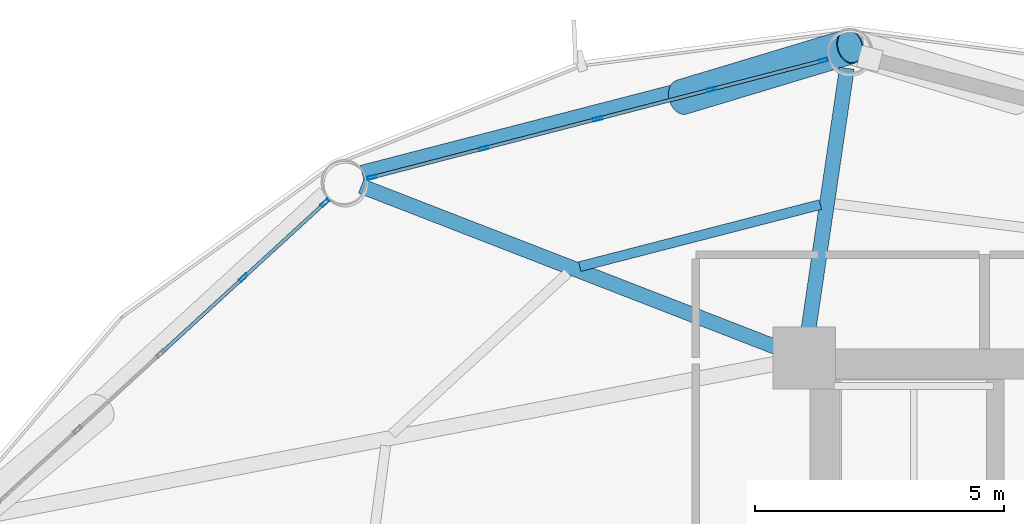
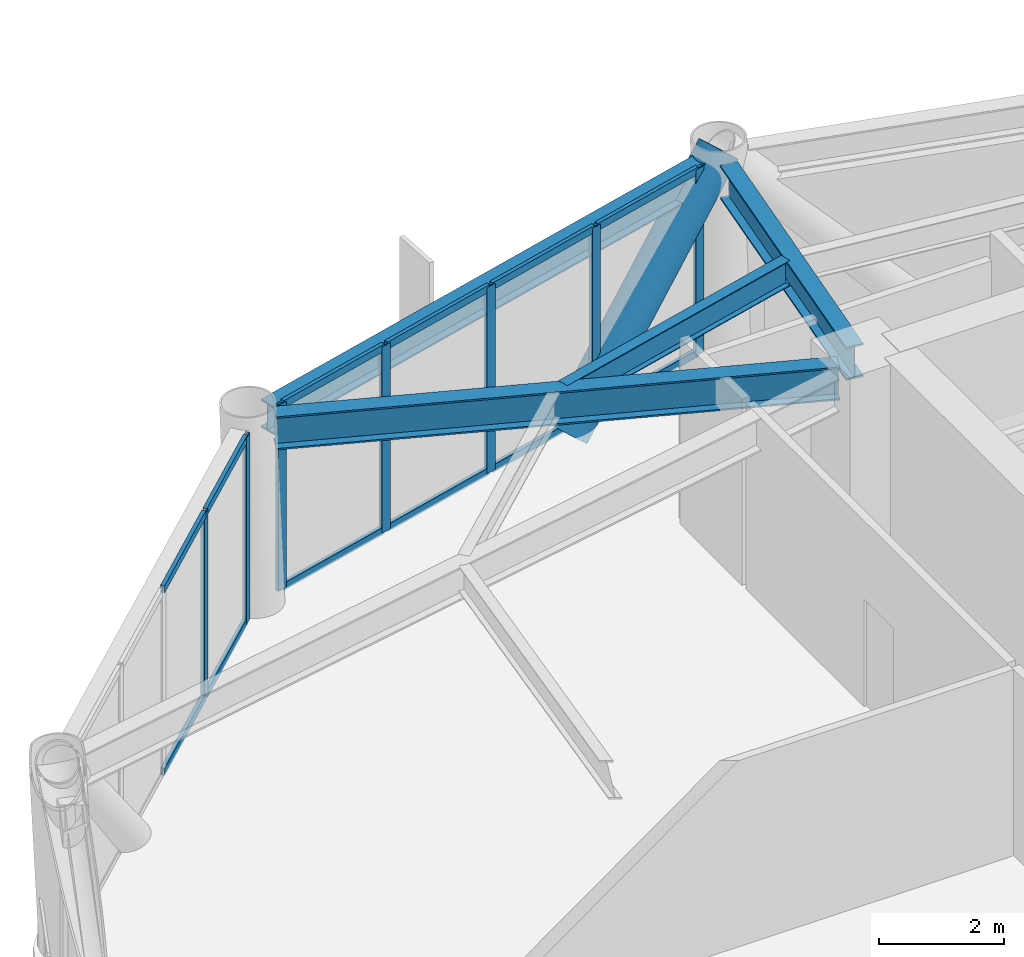
# One storey, part 18 of 25: 20 members, 4 beams, 2 elements without a shape of their own.
"""IFC4 building model written with IfcOpenShell, lengths in metres."""

from ifc_helpers import new_model, si_unit, direction, frame, origin, origin_2d, place, context, subcontext, project, spatial, hollow_rectangle, hollow_circle, i_section, extrude, material, layer, layer_set, material_profile, profile_set, type_object, element, aggregate, save


model = new_model("IFC4")

# Units and contexts
model_context = context("Model", 3, precision=1e-05, world=origin(), true_north=direction((0.0, 1.0)))
body_context = subcontext(model_context, "Body", "Model", "MODEL_VIEW")
ifc_project = project(units=[si_unit("LENGTHUNIT", "METRE"), si_unit("AREAUNIT", "SQUARE_METRE"), si_unit("VOLUMEUNIT", "CUBIC_METRE"), si_unit("PLANEANGLEUNIT", "RADIAN"), si_unit("MASSUNIT", "GRAM", prefix="KILO")], contexts=[model_context])

# Site, building, storey
site_placement = place(None, origin())
site = spatial("IfcSite", under=ifc_project, at=site_placement, CompositionType="ELEMENT")
building_placement = place(site_placement, origin())
building = spatial("IfcBuilding", under=site, at=building_placement, Name="Varnakorn Sky Granary", CompositionType="ELEMENT")
storey_placement = place(building_placement, frame((0.0, 0.0, 35.39990234375)))
storey = spatial("IfcBuildingStorey", under=building, at=storey_placement, Name="L08", CompositionType="ELEMENT", Elevation=35.39990234375)

# Beams
ifc_material_1 = material(Name="Steel S355JR", Category="steel")
ifc_material_profile_1 = material_profile(ifc_material_1, i_section(OverallWidth=0.300048828125, OverallDepth=0.64990234375, WebThickness=0.01611328125, FlangeThickness=0.031005859375, at=origin_2d()), Name="HE 650 B")
ifc_profile_set_1 = profile_set([ifc_material_profile_1], Name="Steel S355JR")
beam_type_1 = type_object("IfcBeamType", Name="BM-RAD-Z1", PredefinedType="BEAM", material=ifc_profile_set_1)
beam_1_placement = place(storey_placement, frame((-2.35888671875, 13.035400390625, 3.315185546875), z_axis=(0.145320472629, 0.989384637153, 0.0), x_axis=(-0.989384637153, 0.145320472629, 0.0)))
element("IfcBeam", 1, at=beam_1_placement, inside=storey, type_object=beam_type_1, Name="Radial Floor Girder RG04 L08", PredefinedType="BEAM", context=body_context, shape_type="SweptSolid", body=[
    extrude(i_section(OverallWidth=0.300048828125, OverallDepth=0.64990234375, WebThickness=0.01611328125, FlangeThickness=0.031005859375, at=origin_2d()), origin(), (0.0, 0.0, 1.0), 5.468505859375),
])
beam_2_placement = place(storey_placement, frame((-2.8115234375, 12.77197265625, 3.315185546875), z_axis=(-0.932226788771, 0.361874583658, 0.0), x_axis=(-0.361874583658, -0.932226788771, 0.0)))
element("IfcBeam", 2, at=beam_2_placement, inside=storey, type_object=beam_type_1, Name="Radial Floor Girder RG05 L08", PredefinedType="BEAM", context=body_context, shape_type="SweptSolid", body=[
    extrude(i_section(OverallWidth=0.300048828125, OverallDepth=0.64990234375, WebThickness=0.01611328125, FlangeThickness=0.031005859375, at=origin_2d()), origin(), (0.0, 0.0, 1.0), 9.130859375),
])
ifc_material_profile_2 = material_profile(ifc_material_1, i_section(OverallWidth=0.199951171875, OverallDepth=0.5, WebThickness=0.01025390625, FlangeThickness=0.01611328125, at=origin_2d()), Name="IPE 500")
ifc_profile_set_2 = profile_set([ifc_material_profile_2], Name="Steel S355JR")
beam_type_2 = type_object("IfcBeamType", Name="BM-SEC-Z1", PredefinedType="BEAM", material=ifc_profile_set_2)
beam_3_placement = place(storey_placement, frame((-2.09716796875, 15.70556640625, 3.39013671875), z_axis=(-0.968329969082, -0.24967392931, 0.0), x_axis=(0.24967392931, -0.968329969082, 0.0)))
element("IfcBeam", 3, at=beam_3_placement, inside=storey, type_object=beam_type_2, Name="Secondary Floor Chord Beam MSB04 L08", PredefinedType="BEAM", context=body_context, shape_type="SweptSolid", body=[
    extrude(i_section(OverallWidth=0.199951171875, OverallDepth=0.5, WebThickness=0.01025390625, FlangeThickness=0.01611328125, at=origin_2d()), origin(), (0.0, 0.0, 1.0), 4.992919921875),
])
ifc_material_profile_3 = material_profile(ifc_material_1, i_section(OverallWidth=0.300048828125, OverallDepth=0.550048828125, WebThickness=0.014892578125, FlangeThickness=0.029052734375, at=origin_2d()), Name="HE 550 B")
ifc_profile_set_3 = profile_set([ifc_material_profile_3], Name="Steel S355JR")
beam_type_3 = type_object("IfcBeamType", Name="BM-SPD-Z1", PredefinedType="SPANDREL", material=ifc_profile_set_3)
beam_4_placement = place(storey_placement, frame((-1.927978515625, 18.772216796875, 3.364990234375), z_axis=(-0.968158811883, -0.250336803073, 0.0), x_axis=(0.250336803073, -0.968158811883, 0.0)))
element("IfcBeam", 4, at=beam_4_placement, inside=storey, type_object=beam_type_3, Name="Perimeter Spandrel Ring Beam RB04 L08", PredefinedType="SPANDREL", context=body_context, shape_type="SweptSolid", body=[
    extrude(i_section(OverallWidth=0.300048828125, OverallDepth=0.550048828125, WebThickness=0.014892578125, FlangeThickness=0.029052734375, at=origin_2d()), origin(), (0.0, 0.0, 1.0), 9.688232421875),
])

# Curtain wall, members
ifc_material_2 = material(Name="Anodised Bronze Aluminium Alloy 6063-T6", Category="aluminium")
ifc_layer = layer(ifc_material_2, 0.18994140625, Name="Anodised Bronze Aluminium Alloy 6063-T6")
ifc_layer_set = layer_set([ifc_layer], Name="Anodised Bronze Aluminium Alloy 6063-T6")
curtain_wall_type = type_object("IfcCurtainWallType", Name="CW-FRM-1", PredefinedType="USERDEFINED", material=ifc_layer_set)
curtain_wall_1_placement = place(storey_placement, origin())
curtain_wall_1 = element("IfcCurtainWall", 5, at=curtain_wall_1_placement, inside=storey, type_object=curtain_wall_type, Name="Unitised Curtain Wall CW3 CW-L08-B04", ObjectType="CURTAIN WALL", PredefinedType="USERDEFINED")
ifc_material_profile_4 = material_profile(ifc_material_2, hollow_rectangle(XDim=0.070068359375, YDim=0.18505859375, WallThickness=0.00390625, at=origin_2d()), Name="ALU MULL 70x185")
ifc_profile_set_4 = profile_set([ifc_material_profile_4], Name="Anodised Bronze Aluminium Alloy 6063-T6")
member_type_1 = type_object("IfcMemberType", Name="CW-FRM-1-MULL", PredefinedType="MULLION", material=ifc_profile_set_4)
member_1_placement = place(storey_placement, frame((-11.110107421875, 16.251708984375, 0.0), z_axis=(0.0, 0.0, 1.0), x_axis=(-0.250760069357, 0.968049269209, 0.0)))
member_1 = element("IfcMember", 6, at=member_1_placement, type_object=member_type_1, Name="CW3 mullion 1", PredefinedType="MULLION", context=body_context, shape_type="SweptSolid", body=[
    extrude(hollow_rectangle(XDim=0.070068359375, YDim=0.18505859375, WallThickness=0.00390625, at=origin_2d()), origin(), (0.0, 0.0, 1.0), 3.64013671875),
])
member_2_placement = place(storey_placement, frame((-8.858154296875, 16.8349609375, 0.0), z_axis=(0.0, 0.0, 1.0), x_axis=(-0.250760069357, 0.968049269209, 0.0)))
member_2 = element("IfcMember", 7, at=member_2_placement, type_object=member_type_1, Name="CW3 mullion 2", PredefinedType="MULLION", context=body_context, shape_type="SweptSolid", body=[
    extrude(hollow_rectangle(XDim=0.070068359375, YDim=0.18505859375, WallThickness=0.00390625, at=origin_2d()), origin(), (0.0, 0.0, 1.0), 3.64013671875),
])
member_3_placement = place(storey_placement, frame((-6.572265625, 17.42724609375, 0.0), z_axis=(0.0, 0.0, 1.0), x_axis=(-0.250760069357, 0.968049269209, 0.0)))
member_3 = element("IfcMember", 8, at=member_3_placement, type_object=member_type_1, Name="CW3 mullion 3", PredefinedType="MULLION", context=body_context, shape_type="SweptSolid", body=[
    extrude(hollow_rectangle(XDim=0.070068359375, YDim=0.18505859375, WallThickness=0.00390625, at=origin_2d()), origin(), (0.0, 0.0, 1.0), 3.64013671875),
])
member_4_placement = place(storey_placement, frame((-4.286376953125, 18.019287109375, 0.0), z_axis=(0.0, 0.0, 1.0), x_axis=(-0.250760069357, 0.968049269209, 0.0)))
member_4 = element("IfcMember", 9, at=member_4_placement, type_object=member_type_1, Name="CW3 mullion 4", PredefinedType="MULLION", context=body_context, shape_type="SweptSolid", body=[
    extrude(hollow_rectangle(XDim=0.070068359375, YDim=0.18505859375, WallThickness=0.00390625, at=origin_2d()), origin(), (0.0, 0.0, 1.0), 3.64013671875),
])
member_5_placement = place(storey_placement, frame((-2.034423828125, 18.6025390625, 0.0), z_axis=(0.0, 0.0, 1.0), x_axis=(-0.250760069357, 0.968049269209, 0.0)))
member_5 = element("IfcMember", 10, at=member_5_placement, type_object=member_type_1, Name="CW3 mullion 5", PredefinedType="MULLION", context=body_context, shape_type="SweptSolid", body=[
    extrude(hollow_rectangle(XDim=0.070068359375, YDim=0.18505859375, WallThickness=0.00390625, at=origin_2d()), origin(), (0.0, 0.0, 1.0), 3.64013671875),
])

curtain_wall_2_placement = place(storey_placement, origin())
curtain_wall_2 = element("IfcCurtainWall", 11, at=curtain_wall_2_placement, inside=storey, type_object=curtain_wall_type, Name="Unitised Curtain Wall CW3 CW-L08-B05", ObjectType="CURTAIN WALL", PredefinedType="USERDEFINED")
member_6_placement = place(storey_placement, frame((-13.691650390625, 14.236083984375, 0.0), z_axis=(0.0, 0.0, 1.0), x_axis=(-0.675878356504, 0.737013193375, 0.0)))
member_6 = element("IfcMember", 12, at=member_6_placement, type_object=member_type_1, Name="CW3 mullion 4", PredefinedType="MULLION", context=body_context, shape_type="SweptSolid", body=[
    extrude(hollow_rectangle(XDim=0.070068359375, YDim=0.18505859375, WallThickness=0.00390625, at=origin_2d()), origin(), (0.0, 0.0, 1.0), 3.64013671875),
])
member_7_placement = place(storey_placement, frame((-12.05126953125, 15.740234375, 0.0), z_axis=(0.0, 0.0, 1.0), x_axis=(-0.675878356504, 0.737013193375, 0.0)))
member_7 = element("IfcMember", 13, at=member_7_placement, type_object=member_type_1, Name="CW3 mullion 5", PredefinedType="MULLION", context=body_context, shape_type="SweptSolid", body=[
    extrude(hollow_rectangle(XDim=0.070068359375, YDim=0.18505859375, WallThickness=0.00390625, at=origin_2d()), origin(), (0.0, 0.0, 1.0), 3.64013671875),
])

# Member
ifc_material_profile_5 = material_profile(ifc_material_2, hollow_rectangle(XDim=0.070068359375, YDim=0.139892578125, WallThickness=0.00341796875, at=origin_2d()), Name="ALU TRAN 70x140")
ifc_profile_set_5 = profile_set([ifc_material_profile_5], Name="Anodised Bronze Aluminium Alloy 6063-T6")
member_type_2 = type_object("IfcMemberType", Name="CW-FRM-1-TRAN", PredefinedType="USERDEFINED", material=ifc_profile_set_5)
member_8_placement = place(storey_placement, frame((-11.076171875, 16.260498046875, 0.03515625), z_axis=(0.96805820753, 0.250725560792, 0.0), x_axis=(-0.250725560792, 0.96805820753, 0.0)))
member_8 = element("IfcMember", 14, at=member_8_placement, type_object=member_type_2, Name="CW3 transom 1.1", ObjectType="TRANSOM", PredefinedType="USERDEFINED", context=body_context, shape_type="SweptSolid", body=[
    extrude(hollow_rectangle(XDim=0.070068359375, YDim=0.139892578125, WallThickness=0.00341796875, at=origin_2d()), origin(), (0.0, 0.0, 1.0), 2.256103515625),
])

member_9_placement = place(storey_placement, frame((-11.076171875, 16.260498046875, 3.60498046875), z_axis=(0.96805820753, 0.250725560792, 0.0), x_axis=(-0.250725560792, 0.96805820753, 0.0)))
member_9 = element("IfcMember", 15, at=member_9_placement, type_object=member_type_2, Name="CW3 transom 1.2", ObjectType="TRANSOM", PredefinedType="USERDEFINED", context=body_context, shape_type="SweptSolid", body=[
    extrude(hollow_rectangle(XDim=0.070068359375, YDim=0.139892578125, WallThickness=0.00341796875, at=origin_2d()), origin(), (0.0, 0.0, 1.0), 2.256103515625),
])

member_10_placement = place(storey_placement, frame((-8.82421875, 16.84375, 0.03515625), z_axis=(0.96803236045, 0.250825335883, 0.0), x_axis=(-0.250825335883, 0.96803236045, 0.0)))
member_10 = element("IfcMember", 16, at=member_10_placement, type_object=member_type_2, Name="CW3 transom 2.1", ObjectType="TRANSOM", PredefinedType="USERDEFINED", context=body_context, shape_type="SweptSolid", body=[
    extrude(hollow_rectangle(XDim=0.070068359375, YDim=0.139892578125, WallThickness=0.00341796875, at=origin_2d()), origin(), (0.0, 0.0, 1.0), 2.291259765625),
])

member_11_placement = place(storey_placement, frame((-8.82421875, 16.84375, 3.60498046875), z_axis=(0.96803236045, 0.250825335883, 0.0), x_axis=(-0.250825335883, 0.96803236045, 0.0)))
member_11 = element("IfcMember", 17, at=member_11_placement, type_object=member_type_2, Name="CW3 transom 2.2", ObjectType="TRANSOM", PredefinedType="USERDEFINED", context=body_context, shape_type="SweptSolid", body=[
    extrude(hollow_rectangle(XDim=0.070068359375, YDim=0.139892578125, WallThickness=0.00341796875, at=origin_2d()), origin(), (0.0, 0.0, 1.0), 2.291259765625),
])

member_12_placement = place(storey_placement, frame((-6.538330078125, 17.43603515625, 0.03515625), z_axis=(0.968058227767, 0.250725482657, 0.0), x_axis=(-0.250725482657, 0.968058227767, 0.0)))
member_12 = element("IfcMember", 18, at=member_12_placement, type_object=member_type_2, Name="CW3 transom 3.1", ObjectType="TRANSOM", PredefinedType="USERDEFINED", context=body_context, shape_type="SweptSolid", body=[
    extrude(hollow_rectangle(XDim=0.070068359375, YDim=0.139892578125, WallThickness=0.00341796875, at=origin_2d()), origin(), (0.0, 0.0, 1.0), 2.291259765625),
])

member_13_placement = place(storey_placement, frame((-6.538330078125, 17.43603515625, 3.60498046875), z_axis=(0.968058227767, 0.250725482657, 0.0), x_axis=(-0.250725482657, 0.968058227767, 0.0)))
member_13 = element("IfcMember", 19, at=member_13_placement, type_object=member_type_2, Name="CW3 transom 3.2", ObjectType="TRANSOM", PredefinedType="USERDEFINED", context=body_context, shape_type="SweptSolid", body=[
    extrude(hollow_rectangle(XDim=0.070068359375, YDim=0.139892578125, WallThickness=0.00341796875, at=origin_2d()), origin(), (0.0, 0.0, 1.0), 2.291259765625),
])

member_14_placement = place(storey_placement, frame((-4.25244140625, 18.028076171875, 0.03515625), z_axis=(0.96805820753, 0.250725560792, 0.0), x_axis=(-0.250725560792, 0.96805820753, 0.0)))
member_14 = element("IfcMember", 20, at=member_14_placement, type_object=member_type_2, Name="CW3 transom 4.1", ObjectType="TRANSOM", PredefinedType="USERDEFINED", context=body_context, shape_type="SweptSolid", body=[
    extrude(hollow_rectangle(XDim=0.070068359375, YDim=0.139892578125, WallThickness=0.00341796875, at=origin_2d()), origin(), (0.0, 0.0, 1.0), 2.256103515625),
])

member_15_placement = place(storey_placement, frame((-4.25244140625, 18.028076171875, 3.60498046875), z_axis=(0.96805820753, 0.250725560792, 0.0), x_axis=(-0.250725560792, 0.96805820753, 0.0)))
member_15 = element("IfcMember", 21, at=member_15_placement, type_object=member_type_2, Name="CW3 transom 4.2", ObjectType="TRANSOM", PredefinedType="USERDEFINED", context=body_context, shape_type="SweptSolid", body=[
    extrude(hollow_rectangle(XDim=0.070068359375, YDim=0.139892578125, WallThickness=0.00341796875, at=origin_2d()), origin(), (0.0, 0.0, 1.0), 2.256103515625),
])

aggregate(curtain_wall_1, [member_1, member_2, member_3, member_4, member_5, member_8, member_9, member_10, member_11, member_12, member_13, member_14, member_15])

member_16_placement = place(storey_placement, frame((-15.331787109375, 12.731689453125, 0.03515625), z_axis=(0.736982954511, 0.675911329066, 0.0), x_axis=(-0.675911329066, 0.736982954511, 0.0)))
member_16 = element("IfcMember", 22, at=member_16_placement, type_object=member_type_2, Name="CW3 transom 3.1", ObjectType="TRANSOM", PredefinedType="USERDEFINED", context=body_context, shape_type="SweptSolid", body=[
    extrude(hollow_rectangle(XDim=0.070068359375, YDim=0.139892578125, WallThickness=0.00341796875, at=origin_2d()), origin(), (0.0, 0.0, 1.0), 2.190673828125),
])

member_17_placement = place(storey_placement, frame((-15.331787109375, 12.731689453125, 3.60498046875), z_axis=(0.736982954511, 0.675911329066, 0.0), x_axis=(-0.675911329066, 0.736982954511, 0.0)))
member_17 = element("IfcMember", 23, at=member_17_placement, type_object=member_type_2, Name="CW3 transom 3.2", ObjectType="TRANSOM", PredefinedType="USERDEFINED", context=body_context, shape_type="SweptSolid", body=[
    extrude(hollow_rectangle(XDim=0.070068359375, YDim=0.139892578125, WallThickness=0.00341796875, at=origin_2d()), origin(), (0.0, 0.0, 1.0), 2.190673828125),
])

member_18_placement = place(storey_placement, frame((-13.665771484375, 14.259765625, 0.03515625), z_axis=(0.737027182872, 0.675863101306, 0.0), x_axis=(-0.675863101306, 0.737027182872, 0.0)))
member_18 = element("IfcMember", 24, at=member_18_placement, type_object=member_type_2, Name="CW3 transom 4.1", ObjectType="TRANSOM", PredefinedType="USERDEFINED", context=body_context, shape_type="SweptSolid", body=[
    extrude(hollow_rectangle(XDim=0.070068359375, YDim=0.139892578125, WallThickness=0.00341796875, at=origin_2d()), origin(), (0.0, 0.0, 1.0), 2.155517578125),
])

member_19_placement = place(storey_placement, frame((-13.665771484375, 14.259765625, 3.60498046875), z_axis=(0.737027182872, 0.675863101306, 0.0), x_axis=(-0.675863101306, 0.737027182872, 0.0)))
member_19 = element("IfcMember", 25, at=member_19_placement, type_object=member_type_2, Name="CW3 transom 4.2", ObjectType="TRANSOM", PredefinedType="USERDEFINED", context=body_context, shape_type="SweptSolid", body=[
    extrude(hollow_rectangle(XDim=0.070068359375, YDim=0.139892578125, WallThickness=0.00341796875, at=origin_2d()), origin(), (0.0, 0.0, 1.0), 2.155517578125),
])

aggregate(curtain_wall_2, [member_6, member_7, member_16, member_17, member_18, member_19])

ifc_material_3 = material(Name="Steel S460M", Category="steel")
ifc_material_profile_6 = material_profile(ifc_material_3, hollow_circle(Radius=0.35546875, WallThickness=0.02490234375, at=origin_2d()), Name="CHS 711x25")
ifc_profile_set_6 = profile_set([ifc_material_profile_6], Name="Steel S460M")
member_type_3 = type_object("IfcMemberType", Name="MB-DIAG-T0", PredefinedType="BRACE", material=ifc_profile_set_6)
member_20_placement = place(storey_placement, frame((-4.881591796875, 17.864990234375, -0.1298828125), z_axis=(0.654621502731, 0.197081197487, 0.729814832515), x_axis=(-0.288280078914, 0.957546132623, 0.0)))
element("IfcMember", 26, at=member_20_placement, inside=storey, type_object=member_type_3, Name="Perimeter CHS Diagrid Brace DG04 L08", PredefinedType="BRACE", context=body_context, shape_type="SweptSolid", body=[
    extrude(hollow_circle(Radius=0.35546875, WallThickness=0.02490234375, at=origin_2d()), origin(), (0.0, 0.0, 1.0), 5.165771484375),
])

save(model, "model.ifc")
